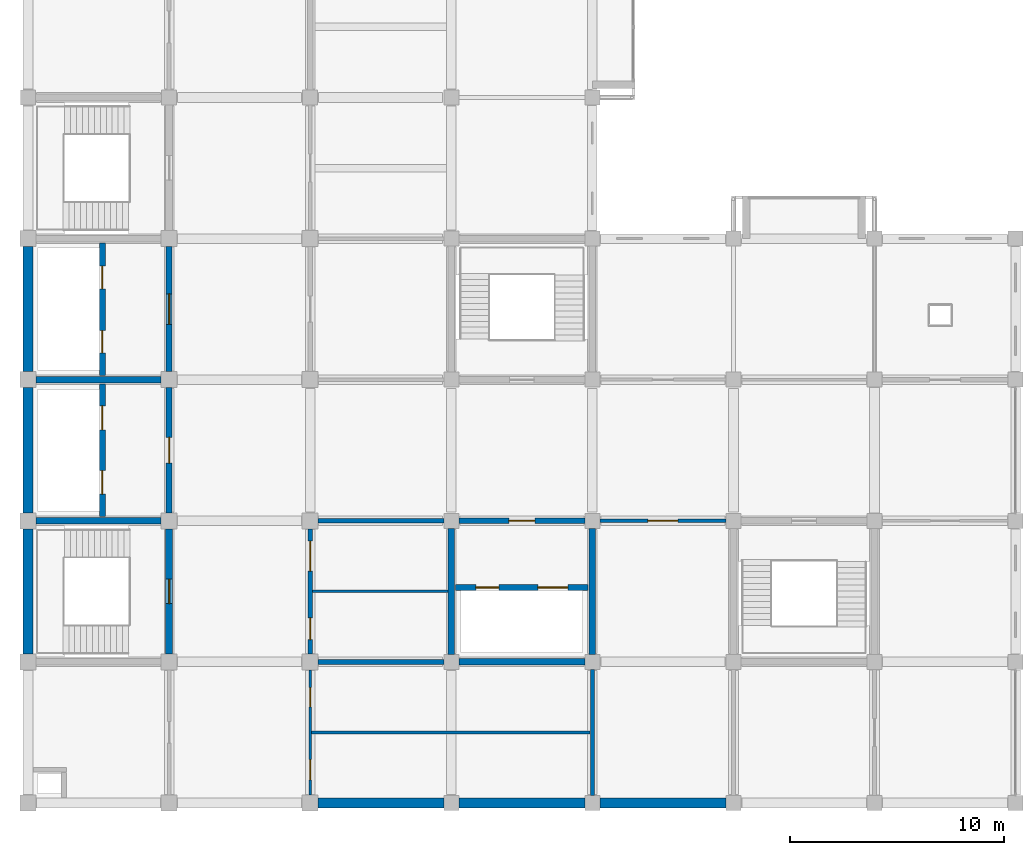
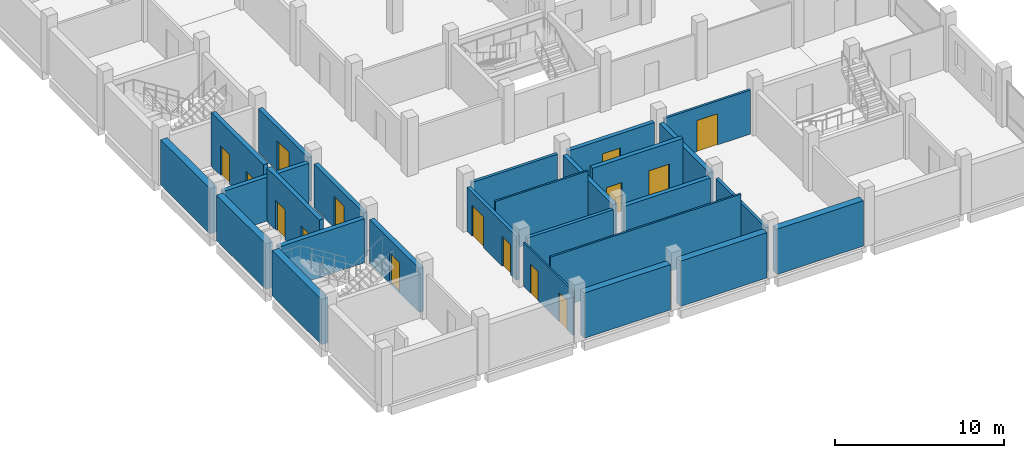
# One storey, part 7 of 13: 26 walls, 15 doors, 15 openings.
"""IFC4 building model written with IfcOpenShell, lengths in metres."""

from ifc_helpers import new_model, si_unit, direction, frame, frame_2d, origin, place, context, subcontext, project, spatial, rectangle, extrude, material, layer, layer_set, type_object, element, fill, save


model = new_model("IFC4")

# Units and contexts
model_context = context("Model", 3, precision=1e-05, world=origin(), true_north=direction((0.0, 1.0)))
body_context = subcontext(model_context, "Body", "Model", "MODEL_VIEW")
ifc_project = project(units=[si_unit("LENGTHUNIT", "METRE"), si_unit("AREAUNIT", "SQUARE_METRE"), si_unit("VOLUMEUNIT", "CUBIC_METRE"), si_unit("PLANEANGLEUNIT", "RADIAN"), si_unit("MASSUNIT", "GRAM", prefix="KILO")], contexts=[model_context])

# Site, building, storey
site_placement = place(None, origin())
site = spatial("IfcSite", under=ifc_project, at=site_placement, CompositionType="ELEMENT")
building_placement = place(site_placement, origin())
building = spatial("IfcBuilding", under=site, at=building_placement, Name="Rusizi Kubbe Research Institute", CompositionType="ELEMENT")
storey_placement = place(building_placement, frame((0.0, 0.0, 35.39990234375)))
storey = spatial("IfcBuildingStorey", under=building, at=storey_placement, Name="L08", CompositionType="ELEMENT", Elevation=35.39990234375)

# Wall
ifc_material_1 = material(Name="Concrete C45/55", Category="concrete")
ifc_layer_1 = layer(ifc_material_1, 0.31494140625)
ifc_layer_set_1 = layer_set([ifc_layer_1], Name="Concrete C45/55")
wall_type_1 = type_object("IfcWallType", Name="CRW-02", PredefinedType="SHEAR", material=ifc_layer_set_1)
wall_1_placement = place(storey_placement, frame((0.375, 13.199951171875, 0.0), z_axis=(0.0, 0.0, 1.0), x_axis=(1.0, 0.0, 0.0)))
element("IfcWall", 1, at=wall_1_placement, inside=storey, type_object=wall_type_1, Name="Stair Core Shear Wall ST1 L08 N", PredefinedType="SHEAR", context=body_context, shape_type="SweptSolid", body=[
    extrude(rectangle(XDim=5.85009765625, YDim=0.31494140625, at=frame_2d((2.925048828125, 0.0))), origin(), (0.0, 0.0, 1.0), 3.18017578125),
])

# Wall, opening, door
wall_2_placement = place(storey_placement, frame((6.60009765625, 6.97509765625, 0.0), z_axis=(0.0, 0.0, 1.0), x_axis=(0.0, 1.0, 0.0)))
wall_2 = element("IfcWall", 2, at=wall_2_placement, inside=storey, type_object=wall_type_1, Name="Stair Core Shear Wall ST1 L08 E", PredefinedType="SHEAR", context=body_context, shape_type="SweptSolid", body=[
    extrude(rectangle(XDim=5.849853515625, YDim=0.31494140625, at=frame_2d((2.9248046875, 0.0))), origin(), (0.0, 0.0, 1.0), 3.18017578125),
])
opening_1_placement = place(wall_2_placement, frame((2.35009765625, 0.0, 0.0)))
opening_1 = element("IfcOpeningElement", 3, at=opening_1_placement, cuts=wall_2, Name="Opening D-02", PredefinedType="OPENING", context=body_context, shape_type="SweptSolid", body=[
    extrude(rectangle(XDim=1.14990234375, YDim=2.199951171875, at=frame_2d((0.574951171875, 1.10009765625))), frame((0.0, 0.16748046875, 0.0), z_axis=(0.0, -1.0, 0.0), x_axis=(1.0, 0.0, 0.0)), (0.0, 0.0, 1.0), 0.3349609375),
])
ifc_material_2 = material(Name="Fire-Rated Steel Frame and Acoustic Timber Leaf", Category="wood")
door_type_1 = type_object("IfcDoorType", Name="ID-STAIR-115", OperationType="NOTDEFINED", PredefinedType="DOOR", material=ifc_material_2)
door_1_placement = place(opening_1_placement, origin())
door_1 = element("IfcDoor", 4, at=door_1_placement, inside=storey, type_object=door_type_1, Name="Exit Stair Door ST1 L08", OperationType="SINGLE_SWING_RIGHT", OverallHeight=2.199951171875, OverallWidth=1.14990234375, PredefinedType="DOOR", context=body_context, shape_type="SweptSolid", body=[
    extrude(rectangle(XDim=1.14990234375, YDim=2.199951171875, at=frame_2d((0.574951171875, 1.10009765625))), frame((0.0, 0.02490234375, 0.0), z_axis=(0.0, -1.0, 0.0), x_axis=(1.0, 0.0, 0.0)), (0.0, 0.0, 1.0), 0.050048828125),
])
fill(opening_1, door_1)

# Walls
ifc_material_3 = material(Name="Concrete C40/50", Category="concrete")
ifc_layer_2 = layer(ifc_material_3, 0.294921875)
ifc_layer_set_2 = layer_set([ifc_layer_2], Name="Concrete C40/50")
wall_type_2 = type_object("IfcWallType", Name="CRW-03", PredefinedType="SHEAR", material=ifc_layer_set_2)
wall_3_placement = place(storey_placement, frame((0.375, 19.800048828125, 0.0), z_axis=(0.0, 0.0, 1.0), x_axis=(1.0, 0.0, 0.0)))
element("IfcWall", 5, at=wall_3_placement, inside=storey, type_object=wall_type_2, Name="Lift Core Divider Wall (0,2-3) L08", PredefinedType="SHEAR", context=body_context, shape_type="SweptSolid", body=[
    extrude(rectangle(XDim=5.85009765625, YDim=0.294921875, at=frame_2d((2.925048828125, 0.0))), origin(), (0.0, 0.0, 1.0), 3.18017578125),
])
for number, where, z_axis, x_axis, name in (
    (6, (20.14990234375, 6.60009765625, 0.0), (0.0, 0.0, 1.0), (1.0, 0.0, 0.0), "Lab Lift Core Wall S (3,1) L08"),
    (7, (19.800048828125, 6.949951171875, 0.0), (0.0, 0.0, 1.0), (0.0, 1.0, 0.0), "Lab Lift Core Wall W (3,1) L08"),
    (8, (26.39990234375, 6.949951171875, 0.0), (0.0, 0.0, 1.0), (0.0, 1.0, 0.0), "Lab Lift Core Wall E (3,1) L08"),
):
    element("IfcWall", number, at=place(storey_placement, frame(where, z_axis=z_axis, x_axis=x_axis)), inside=storey, type_object=wall_type_2, Name=name, PredefinedType="SHEAR", context=body_context, shape_type="SweptSolid", body=[
        extrude(rectangle(XDim=5.900146484375, YDim=0.294921875, at=frame_2d((2.9501953125, 0.0))), origin(), (0.0, 0.0, 1.0), 3.18017578125),
    ])

# Wall, openings, doors
wall_4_placement = place(storey_placement, frame((3.47998046875, 13.39990234375, 0.0), z_axis=(0.0, 0.0, 1.0), x_axis=(0.0, 1.0, 0.0)))
wall_4 = element("IfcWall", 9, at=wall_4_placement, inside=storey, type_object=wall_type_2, Name="Firefighting Lift Shaft Front Wall L08", PredefinedType="SHEAR", context=body_context, shape_type="SweptSolid", body=[
    extrude(rectangle(XDim=6.2001953125, YDim=0.294921875, at=frame_2d((3.10009765625, 0.0))), origin(), (0.0, 0.0, 1.0), 3.880126953125),
])
opening_2_placement = place(wall_4_placement, frame((1.050048828125, 0.0, 0.0)))
opening_2 = element("IfcOpeningElement", 10, at=opening_2_placement, cuts=wall_4, Name="Opening LD-01", PredefinedType="OPENING", context=body_context, shape_type="SweptSolid", body=[
    extrude(rectangle(XDim=1.10009765625, YDim=2.14990234375, at=frame_2d((0.550048828125, 1.074951171875))), frame((0.0, 0.157470703125, 0.0), z_axis=(0.0, -1.0, 0.0), x_axis=(1.0, 0.0, 0.0)), (0.0, 0.0, 1.0), 0.31494140625),
])
opening_3_placement = place(wall_4_placement, frame((4.050048828125, 0.0, 0.0)))
opening_3 = element("IfcOpeningElement", 11, at=opening_3_placement, cuts=wall_4, Name="Opening LD-02", PredefinedType="OPENING", context=body_context, shape_type="SweptSolid", body=[
    extrude(rectangle(XDim=1.1201171875, YDim=2.14990234375, at=frame_2d((0.56005859375, 1.074951171875))), frame((0.0, 0.157470703125, 0.0), z_axis=(0.0, -1.0, 0.0), x_axis=(1.0, 0.0, 0.0)), (0.0, 0.0, 1.0), 0.31494140625),
])
ifc_material_4 = material(Name="Brushed Stainless Steel Sliding Door", Category="steel")
door_type_2 = type_object("IfcDoorType", Name="LD-01", OperationType="DOUBLE_DOOR_SLIDING", PredefinedType="USERDEFINED", material=ifc_material_4)
door_2_placement = place(opening_2_placement, origin())
door_2 = element("IfcDoor", 12, at=door_2_placement, inside=storey, type_object=door_type_2, Name="Lift Landing Sliding Door FL1 L08", ObjectType="SLIDING DOOR", OperationType="DOUBLE_DOOR_SLIDING", OverallHeight=2.14990234375, OverallWidth=1.10009765625, PredefinedType="USERDEFINED", context=body_context, shape_type="SweptSolid", body=[
    extrude(rectangle(XDim=1.10009765625, YDim=2.14990234375, at=frame_2d((0.550048828125, 1.074951171875))), frame((0.0, 0.02490234375, 0.0), z_axis=(0.0, -1.0, 0.0), x_axis=(1.0, 0.0, 0.0)), (0.0, 0.0, 1.0), 0.050048828125),
])
fill(opening_2, door_2)
ifc_material_5 = material(Name="Brushed Stainless Steel Sliding Door", Category="steel")
door_type_3 = type_object("IfcDoorType", Name="LD-02", OperationType="DOUBLE_DOOR_SLIDING", PredefinedType="USERDEFINED", material=ifc_material_5)
door_3_placement = place(opening_3_placement, origin())
door_3 = element("IfcDoor", 13, at=door_3_placement, inside=storey, type_object=door_type_3, Name="Lift Landing Sliding Door FL2 L08", ObjectType="SLIDING DOOR", OperationType="DOUBLE_DOOR_SLIDING", OverallHeight=2.14990234375, OverallWidth=1.1201171875, PredefinedType="USERDEFINED", context=body_context, shape_type="SweptSolid", body=[
    extrude(rectangle(XDim=1.1201171875, YDim=2.14990234375, at=frame_2d((0.56005859375, 1.074951171875))), frame((0.0, 0.02490234375, 0.0), z_axis=(0.0, -1.0, 0.0), x_axis=(1.0, 0.0, 0.0)), (0.0, 0.0, 1.0), 0.050048828125),
])
fill(opening_3, door_3)

wall_5_placement = place(storey_placement, frame((3.47998046875, 20.0, 0.0), z_axis=(0.0, 0.0, 1.0), x_axis=(0.0, 1.0, 0.0)))
wall_5 = element("IfcWall", 14, at=wall_5_placement, inside=storey, type_object=wall_type_2, Name="Passenger Lift Shaft Front Wall L08", PredefinedType="SHEAR", context=body_context, shape_type="SweptSolid", body=[
    extrude(rectangle(XDim=6.199951171875, YDim=0.294921875, at=frame_2d((3.10009765625, 0.0))), origin(), (0.0, 0.0, 1.0), 3.880126953125),
])
opening_4_placement = place(wall_5_placement, frame((1.050048828125, 0.0, 0.0)))
opening_4 = element("IfcOpeningElement", 15, at=opening_4_placement, cuts=wall_5, Name="Opening LD-03", PredefinedType="OPENING", context=body_context, shape_type="SweptSolid", body=[
    extrude(rectangle(XDim=1.050048828125, YDim=2.14990234375, at=frame_2d((0.52490234375, 1.074951171875))), frame((0.0, 0.157470703125, 0.0), z_axis=(0.0, -1.0, 0.0), x_axis=(1.0, 0.0, 0.0)), (0.0, 0.0, 1.0), 0.31494140625),
])
opening_5_placement = place(wall_5_placement, frame((4.050048828125, 0.0, 0.0)))
opening_5 = element("IfcOpeningElement", 16, at=opening_5_placement, cuts=wall_5, Name="Opening LD-04", PredefinedType="OPENING", context=body_context, shape_type="SweptSolid", body=[
    extrude(rectangle(XDim=1.06005859375, YDim=2.14990234375, at=frame_2d((0.530029296875, 1.074951171875))), frame((0.0, 0.157470703125, 0.0), z_axis=(0.0, -1.0, 0.0), x_axis=(1.0, 0.0, 0.0)), (0.0, 0.0, 1.0), 0.31494140625),
])
ifc_material_6 = material(Name="Brushed Stainless Steel Sliding Door", Category="steel")
door_type_4 = type_object("IfcDoorType", Name="LD-03", OperationType="DOUBLE_DOOR_SLIDING", PredefinedType="USERDEFINED", material=ifc_material_6)
door_4_placement = place(opening_4_placement, origin())
door_4 = element("IfcDoor", 17, at=door_4_placement, inside=storey, type_object=door_type_4, Name="Lift Landing Sliding Door LP1 L08", ObjectType="SLIDING DOOR", OperationType="DOUBLE_DOOR_SLIDING", OverallHeight=2.14990234375, OverallWidth=1.050048828125, PredefinedType="USERDEFINED", context=body_context, shape_type="SweptSolid", body=[
    extrude(rectangle(XDim=1.050048828125, YDim=2.14990234375, at=frame_2d((0.52490234375, 1.074951171875))), frame((0.0, 0.02490234375, 0.0), z_axis=(0.0, -1.0, 0.0), x_axis=(1.0, 0.0, 0.0)), (0.0, 0.0, 1.0), 0.050048828125),
])
fill(opening_4, door_4)
ifc_material_7 = material(Name="Brushed Stainless Steel Sliding Door", Category="steel")
door_type_5 = type_object("IfcDoorType", Name="LD-04", OperationType="DOUBLE_DOOR_SLIDING", PredefinedType="USERDEFINED", material=ifc_material_7)
door_5_placement = place(opening_5_placement, origin())
door_5 = element("IfcDoor", 18, at=door_5_placement, inside=storey, type_object=door_type_5, Name="Lift Landing Sliding Door LP2 L08", ObjectType="SLIDING DOOR", OperationType="DOUBLE_DOOR_SLIDING", OverallHeight=2.14990234375, OverallWidth=1.06005859375, PredefinedType="USERDEFINED", context=body_context, shape_type="SweptSolid", body=[
    extrude(rectangle(XDim=1.06005859375, YDim=2.14990234375, at=frame_2d((0.530029296875, 1.074951171875))), frame((0.0, 0.02490234375, 0.0), z_axis=(0.0, -1.0, 0.0), x_axis=(1.0, 0.0, 0.0)), (0.0, 0.0, 1.0), 0.050048828125),
])
fill(opening_5, door_5)

wall_6_placement = place(storey_placement, frame((20.0, 10.080078125, 0.0), z_axis=(0.0, 0.0, 1.0), x_axis=(1.0, 0.0, 0.0)))
wall_6 = element("IfcWall", 19, at=wall_6_placement, inside=storey, type_object=wall_type_2, Name="Goods Lift Shaft Front Wall L08", PredefinedType="SHEAR", context=body_context, shape_type="SweptSolid", body=[
    extrude(rectangle(XDim=6.199951171875, YDim=0.294921875, at=frame_2d((3.10009765625, 0.0))), origin(), (0.0, 0.0, 1.0), 3.880126953125),
])
opening_6_placement = place(wall_6_placement, frame((0.949951171875, 0.0, 0.0)))
opening_6 = element("IfcOpeningElement", 20, at=opening_6_placement, cuts=wall_6, Name="Opening LD-05", PredefinedType="OPENING", context=body_context, shape_type="SweptSolid", body=[
    extrude(rectangle(XDim=1.080078125, YDim=2.14990234375, at=frame_2d((0.5400390625, 1.074951171875))), frame((0.0, 0.157470703125, 0.0), z_axis=(0.0, -1.0, 0.0), x_axis=(1.0, 0.0, 0.0)), (0.0, 0.0, 1.0), 0.31494140625),
])
opening_7_placement = place(wall_6_placement, frame((3.85009765625, 0.0, 0.0)))
opening_7 = element("IfcOpeningElement", 21, at=opening_7_placement, cuts=wall_6, Name="Opening LD-06", PredefinedType="OPENING", context=body_context, shape_type="SweptSolid", body=[
    extrude(rectangle(XDim=1.39990234375, YDim=2.35009765625, at=frame_2d((0.699951171875, 1.175048828125))), frame((0.0, 0.157470703125, 0.0), z_axis=(0.0, -1.0, 0.0), x_axis=(1.0, 0.0, 0.0)), (0.0, 0.0, 1.0), 0.31494140625),
])
ifc_material_8 = material(Name="Brushed Stainless Steel Sliding Door", Category="steel")
door_type_6 = type_object("IfcDoorType", Name="LD-05", OperationType="DOUBLE_DOOR_SLIDING", PredefinedType="USERDEFINED", material=ifc_material_8)
door_6_placement = place(opening_6_placement, origin())
door_6 = element("IfcDoor", 22, at=door_6_placement, inside=storey, type_object=door_type_6, Name="Lift Landing Sliding Door LP3 L08", ObjectType="SLIDING DOOR", OperationType="DOUBLE_DOOR_SLIDING", OverallHeight=2.14990234375, OverallWidth=1.080078125, PredefinedType="USERDEFINED", context=body_context, shape_type="SweptSolid", body=[
    extrude(rectangle(XDim=1.080078125, YDim=2.14990234375, at=frame_2d((0.5400390625, 1.074951171875))), frame((0.0, 0.02490234375, 0.0), z_axis=(0.0, -1.0, 0.0), x_axis=(1.0, 0.0, 0.0)), (0.0, 0.0, 1.0), 0.050048828125),
])
fill(opening_6, door_6)
ifc_material_9 = material(Name="Brushed Stainless Steel Sliding Door", Category="steel")
door_type_7 = type_object("IfcDoorType", Name="LD-06", OperationType="DOUBLE_DOOR_SLIDING", PredefinedType="USERDEFINED", material=ifc_material_9)
door_7_placement = place(opening_7_placement, origin())
door_7 = element("IfcDoor", 23, at=door_7_placement, inside=storey, type_object=door_type_7, Name="Lift Landing Sliding Door LG1 L08", ObjectType="SLIDING DOOR", OperationType="DOUBLE_DOOR_SLIDING", OverallHeight=2.35009765625, OverallWidth=1.39990234375, PredefinedType="USERDEFINED", context=body_context, shape_type="SweptSolid", body=[
    extrude(rectangle(XDim=1.39990234375, YDim=2.35009765625, at=frame_2d((0.699951171875, 1.175048828125))), frame((0.0, 0.02490234375, 0.0), z_axis=(0.0, -1.0, 0.0), x_axis=(1.0, 0.0, 0.0)), (0.0, 0.0, 1.0), 0.050048828125),
])
fill(opening_7, door_7)

# Wall
ifc_material_10 = material(Name="Concrete Blockwork Fire Partition", Category="masonry")
ifc_layer_3 = layer(ifc_material_10, 0.22509765625)
ifc_layer_set_3 = layer_set([ifc_layer_3], Name="Concrete Blockwork Fire Partition")
wall_type_3 = type_object("IfcWallType", Name="IW-01", PredefinedType="PARTITIONING", material=ifc_layer_set_3)
wall_7_placement = place(storey_placement, frame((13.574951171875, 6.60009765625, 0.0), z_axis=(0.0, 0.0, 1.0), x_axis=(1.0, 0.0, 0.0)))
element("IfcWall", 24, at=wall_7_placement, inside=storey, type_object=wall_type_3, Name="Sanitary Core North Divider Wall L08", PredefinedType="PARTITIONING", context=body_context, shape_type="SweptSolid", body=[
    extrude(rectangle(XDim=5.875, YDim=0.22509765625, at=frame_2d((2.9375, 0.0))), origin(), (0.0, 0.0, 1.0), 3.18017578125),
])

# Wall, openings, doors
wall_8_placement = place(storey_placement, frame((13.199951171875, 6.97509765625, 0.0), z_axis=(0.0, 0.0, 1.0), x_axis=(0.0, 1.0, 0.0)))
wall_8 = element("IfcWall", 25, at=wall_8_placement, inside=storey, type_object=wall_type_3, Name="Accessible WC and Store West Wall L08", PredefinedType="PARTITIONING", context=body_context, shape_type="SweptSolid", body=[
    extrude(rectangle(XDim=5.849853515625, YDim=0.22509765625, at=frame_2d((2.9248046875, 0.0))), origin(), (0.0, 0.0, 1.0), 3.18017578125),
])
opening_8_placement = place(wall_8_placement, frame((0.6650390625, 0.0, 0.0)))
opening_8 = element("IfcOpeningElement", 26, at=opening_8_placement, cuts=wall_8, Name="Opening D-07", PredefinedType="OPENING", context=body_context, shape_type="SweptSolid", body=[
    extrude(rectangle(XDim=1.02001953125, YDim=2.14990234375, at=frame_2d((0.510009765625, 1.074951171875))), frame((0.0, 0.12255859375, 0.0), z_axis=(0.0, -1.0, 0.0), x_axis=(1.0, 0.0, 0.0)), (0.0, 0.0, 1.0), 0.2451171875),
])
opening_9_placement = place(wall_8_placement, frame((3.875, 0.0, 0.0)))
opening_9 = element("IfcOpeningElement", 27, at=opening_9_placement, cuts=wall_8, Name="Opening D-12", PredefinedType="OPENING", context=body_context, shape_type="SweptSolid", body=[
    extrude(rectangle(XDim=1.39990234375, YDim=2.25, at=frame_2d((0.699951171875, 1.125))), frame((0.0, 0.12255859375, 0.0), z_axis=(0.0, -1.0, 0.0), x_axis=(1.0, 0.0, 0.0)), (0.0, 0.0, 1.0), 0.2451171875),
])
ifc_material_11 = material(Name="Fire-Rated Steel Frame and Acoustic Timber Leaf", Category="wood")
door_type_8 = type_object("IfcDoorType", Name="ID-LAB-140", OperationType="NOTDEFINED", PredefinedType="DOOR", material=ifc_material_11)
door_8_placement = place(opening_9_placement, origin())
door_8 = element("IfcDoor", 28, at=door_8_placement, inside=storey, type_object=door_type_8, Name="Door to Laboratory Reagent Store (L08-STR-01)", OperationType="SINGLE_SWING_RIGHT", OverallHeight=2.25, OverallWidth=1.39990234375, PredefinedType="DOOR", context=body_context, shape_type="SweptSolid", body=[
    extrude(rectangle(XDim=1.39990234375, YDim=2.25, at=frame_2d((0.699951171875, 1.125))), frame((0.0, 0.02490234375, 0.0), z_axis=(0.0, -1.0, 0.0), x_axis=(1.0, 0.0, 0.0)), (0.0, 0.0, 1.0), 0.050048828125),
])
fill(opening_9, door_8)
ifc_material_12 = material(Name="Fire-Rated Steel Frame and Acoustic Timber Leaf", Category="wood")
door_type_9 = type_object("IfcDoorType", Name="ID-WC-ACC", OperationType="NOTDEFINED", PredefinedType="DOOR", material=ifc_material_12)
door_9_placement = place(opening_8_placement, origin())
door_9 = element("IfcDoor", 29, at=door_9_placement, inside=storey, type_object=door_type_9, Name="Door to Accessible Toilet Room (L08-WC-ACC)", OperationType="SINGLE_SWING_LEFT", OverallHeight=2.14990234375, OverallWidth=1.02001953125, PredefinedType="DOOR", context=body_context, shape_type="SweptSolid", body=[
    extrude(rectangle(XDim=1.02001953125, YDim=2.14990234375, at=frame_2d((0.510009765625, 1.074951171875))), frame((0.0, 0.02490234375, 0.0), z_axis=(0.0, -1.0, 0.0), x_axis=(1.0, 0.0, 0.0)), (0.0, 0.0, 1.0), 0.050048828125),
])
fill(opening_8, door_9)

# Walls
ifc_material_13 = material(Name="Insulated Cleanroom Partition", Category="masonry")
ifc_layer_4 = layer(ifc_material_13, 0.195068359375)
ifc_layer_set_4 = layer_set([ifc_layer_4], Name="Insulated Cleanroom Partition")
wall_type_4 = type_object("IfcWallType", Name="IW-02", PredefinedType="PARTITIONING", material=ifc_layer_set_4)
wall_9_placement = place(storey_placement, frame((26.39990234375, 0.35009765625, 0.0), z_axis=(0.0, 0.0, 1.0), x_axis=(0.0, 1.0, 0.0)))
element("IfcWall", 30, at=wall_9_placement, inside=storey, type_object=wall_type_4, Name="Sanitary Core East Enclosing Wall L08", PredefinedType="PARTITIONING", context=body_context, shape_type="SweptSolid", body=[
    extrude(rectangle(XDim=5.89990234375, YDim=0.195068359375, at=frame_2d((2.949951171875, 0.0))), origin(), (0.0, 0.0, 1.0), 3.18017578125),
])
wall_10_placement = place(storey_placement, frame((13.574951171875, 13.199951171875, 0.0), z_axis=(0.0, 0.0, 1.0), x_axis=(1.0, 0.0, 0.0)))
element("IfcWall", 31, at=wall_10_placement, inside=storey, type_object=wall_type_4, Name="Reagent Store North Corridor Wall L08", PredefinedType="PARTITIONING", context=body_context, shape_type="SweptSolid", body=[
    extrude(rectangle(XDim=5.875, YDim=0.195068359375, at=frame_2d((2.9375, 0.0))), origin(), (0.0, 0.0, 1.0), 3.18017578125),
])

# Wall, opening, door
ifc_material_14 = material(Name="Fire-Rated Corridor Partition", Category="masonry")
ifc_layer_5 = layer(ifc_material_14, 0.155029296875)
ifc_layer_set_5 = layer_set([ifc_layer_5], Name="Fire-Rated Corridor Partition")
wall_type_5 = type_object("IfcWallType", Name="IW-04", PredefinedType="PARTITIONING", material=ifc_layer_set_5)
wall_11_placement = place(storey_placement, frame((26.75, 13.199951171875, 0.0), z_axis=(0.0, 0.0, 1.0), x_axis=(1.0, 0.0, 0.0)))
wall_11 = element("IfcWall", 32, at=wall_11_placement, inside=storey, type_object=wall_type_5, Name="Interior Partition Wall L08 H4-2", PredefinedType="PARTITIONING", context=body_context, shape_type="SweptSolid", body=[
    extrude(rectangle(XDim=5.89990234375, YDim=0.155029296875, at=frame_2d((2.949951171875, 0.0))), origin(), (0.0, 0.0, 1.0), 3.18017578125),
])
opening_10_placement = place(wall_11_placement, frame((2.25, 0.0, 0.0)))
opening_10 = element("IfcOpeningElement", 33, at=opening_10_placement, cuts=wall_11, Name="Opening D-12", PredefinedType="OPENING", context=body_context, shape_type="SweptSolid", body=[
    extrude(rectangle(XDim=1.39990234375, YDim=2.25, at=frame_2d((0.699951171875, 1.125))), frame((0.0, 0.08740234375, 0.0), z_axis=(0.0, -1.0, 0.0), x_axis=(1.0, 0.0, 0.0)), (0.0, 0.0, 1.0), 0.175048828125),
])
door_10_placement = place(opening_10_placement, origin())
door_10 = element("IfcDoor", 34, at=door_10_placement, inside=storey, type_object=door_type_8, Name="Door to Catalysis Wet Laboratory (L08-EWS-01)", OperationType="SINGLE_SWING_RIGHT", OverallHeight=2.25, OverallWidth=1.39990234375, PredefinedType="DOOR", context=body_context, shape_type="SweptSolid", body=[
    extrude(rectangle(XDim=1.39990234375, YDim=2.25, at=frame_2d((0.699951171875, 1.125))), frame((0.0, 0.02490234375, 0.0), z_axis=(0.0, -1.0, 0.0), x_axis=(1.0, 0.0, 0.0)), (0.0, 0.0, 1.0), 0.050048828125),
])
fill(opening_10, door_10)

# Walls
ifc_material_15 = material(Name="Sanitary Wet-Wall Partition", Category="masonry")
ifc_layer_6 = layer(ifc_material_15, 0.125)
ifc_layer_set_6 = layer_set([ifc_layer_6], Name="Sanitary Wet-Wall Partition")
wall_type_6 = type_object("IfcWallType", Name="IW-06", PredefinedType="PARTITIONING", material=ifc_layer_set_6)
wall_12_placement = place(storey_placement, frame((13.260009765625, 3.300048828125, 0.0), z_axis=(0.0, 0.0, 1.0), x_axis=(1.0, 0.0, 0.0)))
element("IfcWall", 35, at=wall_12_placement, inside=storey, type_object=wall_type_6, Name="Sanitary Divider Wall L08-1", PredefinedType="PARTITIONING", context=body_context, shape_type="SweptSolid", body=[
    extrude(rectangle(XDim=13.03759765625, YDim=0.125, at=frame_2d((6.518798828125, 0.0))), origin(), (0.0, 0.0, 1.0), 3.880126953125),
])
wall_13_placement = place(storey_placement, frame((13.3173828125, 9.89990234375, 0.0), z_axis=(0.0, 0.0, 1.0), x_axis=(1.0, 0.0, 0.0)))
element("IfcWall", 36, at=wall_13_placement, inside=storey, type_object=wall_type_6, Name="Sanitary Divider Wall L08-2", PredefinedType="PARTITIONING", context=body_context, shape_type="SweptSolid", body=[
    extrude(rectangle(XDim=6.330078125, YDim=0.125, at=frame_2d((3.1650390625, 0.0))), origin(), (0.0, 0.0, 1.0), 3.880126953125),
])

# Wall, openings, doors
ifc_material_16 = material(Name="Sub-Suite Fire Partition", Category="masonry")
ifc_layer_7 = layer(ifc_material_16, 0.110107421875)
ifc_layer_set_7 = layer_set([ifc_layer_7], Name="Sub-Suite Fire Partition")
wall_type_7 = type_object("IfcWallType", Name="IW-07", PredefinedType="PARTITIONING", material=ifc_layer_set_7)
wall_14_placement = place(storey_placement, frame((13.199951171875, 0.375, 0.0), z_axis=(0.0, 0.0, 1.0), x_axis=(0.0, 1.0, 0.0)))
wall_14 = element("IfcWall", 37, at=wall_14_placement, inside=storey, type_object=wall_type_7, Name="Sanitary Core West Corridor Wall L08", PredefinedType="PARTITIONING", context=body_context, shape_type="SweptSolid", body=[
    extrude(rectangle(XDim=5.85009765625, YDim=0.110107421875, at=frame_2d((2.925048828125, 0.0))), origin(), (0.0, 0.0, 1.0), 3.18017578125),
])
opening_11_placement = place(wall_14_placement, frame((0.699951171875, 0.0, 0.0)))
opening_11 = element("IfcOpeningElement", 38, at=opening_11_placement, cuts=wall_14, Name="Opening D-06", PredefinedType="OPENING", context=body_context, shape_type="SweptSolid", body=[
    extrude(rectangle(XDim=0.949951171875, YDim=2.10009765625, at=frame_2d((0.47509765625, 1.050048828125))), frame((0.0, 0.06494140625, 0.0), z_axis=(0.0, -1.0, 0.0), x_axis=(1.0, 0.0, 0.0)), (0.0, 0.0, 1.0), 0.130126953125),
])
opening_12_placement = place(wall_14_placement, frame((4.125, 0.0, 0.0)))
opening_12 = element("IfcOpeningElement", 39, at=opening_12_placement, cuts=wall_14, Name="Opening D-05", PredefinedType="OPENING", context=body_context, shape_type="SweptSolid", body=[
    extrude(rectangle(XDim=0.89990234375, YDim=2.10009765625, at=frame_2d((0.449951171875, 1.050048828125))), frame((0.0, 0.06494140625, 0.0), z_axis=(0.0, -1.0, 0.0), x_axis=(1.0, 0.0, 0.0)), (0.0, 0.0, 1.0), 0.130126953125),
])
ifc_material_17 = material(Name="Fire-Rated Steel Frame and Acoustic Timber Leaf", Category="wood")
door_type_10 = type_object("IfcDoorType", Name="ID-WC-900", OperationType="NOTDEFINED", PredefinedType="DOOR", material=ifc_material_17)
door_11_placement = place(opening_12_placement, origin())
door_11 = element("IfcDoor", 40, at=door_11_placement, inside=storey, type_object=door_type_10, Name="Door to Female Toilet Room (L08-WC-F)", OperationType="SINGLE_SWING_LEFT", OverallHeight=2.10009765625, OverallWidth=0.89990234375, PredefinedType="DOOR", context=body_context, shape_type="SweptSolid", body=[
    extrude(rectangle(XDim=0.89990234375, YDim=2.10009765625, at=frame_2d((0.449951171875, 1.050048828125))), frame((0.0, 0.02490234375, 0.0), z_axis=(0.0, -1.0, 0.0), x_axis=(1.0, 0.0, 0.0)), (0.0, 0.0, 1.0), 0.050048828125),
])
fill(opening_12, door_11)
ifc_material_18 = material(Name="Fire-Rated Steel Frame and Acoustic Timber Leaf", Category="wood")
door_type_11 = type_object("IfcDoorType", Name="ID-WC-950", OperationType="NOTDEFINED", PredefinedType="DOOR", material=ifc_material_18)
door_12_placement = place(opening_11_placement, origin())
door_12 = element("IfcDoor", 41, at=door_12_placement, inside=storey, type_object=door_type_11, Name="Door to Male Toilet Room (L08-WC-M)", OperationType="SINGLE_SWING_RIGHT", OverallHeight=2.10009765625, OverallWidth=0.949951171875, PredefinedType="DOOR", context=body_context, shape_type="SweptSolid", body=[
    extrude(rectangle(XDim=0.949951171875, YDim=2.10009765625, at=frame_2d((0.47509765625, 1.050048828125))), frame((0.0, 0.02490234375, 0.0), z_axis=(0.0, -1.0, 0.0), x_axis=(1.0, 0.0, 0.0)), (0.0, 0.0, 1.0), 0.050048828125),
])
fill(opening_11, door_12)

# Walls
ifc_material_19 = material(Name="Concrete C40/50", Category="concrete")
ifc_layer_8 = layer(ifc_material_19, 0.4599609375)
ifc_layer_set_8 = layer_set([ifc_layer_8], Name="Concrete C40/50")
wall_type_8 = type_object("IfcWallType", Name="PW-02", PredefinedType="SOLIDWALL", material=ifc_layer_set_8)
wall_15_placement = place(storey_placement, frame((0.0, 6.97509765625, 0.0), z_axis=(0.0, 0.0, 1.0), x_axis=(0.0, 1.0, 0.0)))
element("IfcWall", 42, at=wall_15_placement, inside=storey, type_object=wall_type_8, Name="Blind Party Wall L08 V0-1", PredefinedType="SOLIDWALL", context=body_context, shape_type="SweptSolid", body=[
    extrude(rectangle(XDim=5.849853515625, YDim=0.4599609375, at=frame_2d((2.9248046875, 0.0))), origin(), (0.0, 0.0, 1.0), 3.280029296875),
])
wall_16_placement = place(storey_placement, frame((0.0, 13.574951171875, 0.0), z_axis=(0.0, 0.0, 1.0), x_axis=(0.0, 1.0, 0.0)))
element("IfcWall", 43, at=wall_16_placement, inside=storey, type_object=wall_type_8, Name="Blind Party Wall L08 V0-2", PredefinedType="SOLIDWALL", context=body_context, shape_type="SweptSolid", body=[
    extrude(rectangle(XDim=5.85009765625, YDim=0.4599609375, at=frame_2d((2.925048828125, 0.0))), origin(), (0.0, 0.0, 1.0), 3.280029296875),
])
wall_17_placement = place(storey_placement, frame((0.0, 20.175048828125, 0.0), z_axis=(0.0, 0.0, 1.0), x_axis=(0.0, 1.0, 0.0)))
element("IfcWall", 44, at=wall_17_placement, inside=storey, type_object=wall_type_8, Name="Blind Party Wall L08 V0-3", PredefinedType="SOLIDWALL", context=body_context, shape_type="SweptSolid", body=[
    extrude(rectangle(XDim=5.849853515625, YDim=0.4599609375, at=frame_2d((2.9248046875, 0.0))), origin(), (0.0, 0.0, 1.0), 3.280029296875),
])
wall_18_placement = place(storey_placement, frame((13.574951171875, 0.0, 0.0), z_axis=(0.0, 0.0, 1.0), x_axis=(1.0, 0.0, 0.0)))
element("IfcWall", 45, at=wall_18_placement, inside=storey, type_object=wall_type_8, Name="Blind Party Wall L08 H2-0", PredefinedType="SOLIDWALL", context=body_context, shape_type="SweptSolid", body=[
    extrude(rectangle(XDim=5.875, YDim=0.4599609375, at=frame_2d((2.9375, 0.0))), origin(), (0.0, 0.0, 1.0), 3.280029296875),
])
wall_19_placement = place(storey_placement, frame((20.14990234375, 0.0, 0.0), z_axis=(0.0, 0.0, 1.0), x_axis=(1.0, 0.0, 0.0)))
element("IfcWall", 46, at=wall_19_placement, inside=storey, type_object=wall_type_8, Name="Blind Party Wall L08 H3-0", PredefinedType="SOLIDWALL", context=body_context, shape_type="SweptSolid", body=[
    extrude(rectangle(XDim=5.900146484375, YDim=0.4599609375, at=frame_2d((2.9501953125, 0.0))), origin(), (0.0, 0.0, 1.0), 3.280029296875),
])
wall_20_placement = place(storey_placement, frame((26.75, 0.0, 0.0), z_axis=(0.0, 0.0, 1.0), x_axis=(1.0, 0.0, 0.0)))
element("IfcWall", 47, at=wall_20_placement, inside=storey, type_object=wall_type_8, Name="Blind Party Wall L08 H4-0", PredefinedType="SOLIDWALL", context=body_context, shape_type="SweptSolid", body=[
    extrude(rectangle(XDim=5.89990234375, YDim=0.4599609375, at=frame_2d((2.949951171875, 0.0))), origin(), (0.0, 0.0, 1.0), 3.280029296875),
])

# Wall, opening, door
ifc_material_20 = material(Name="Concrete C40/50", Category="concrete")
ifc_layer_9 = layer(ifc_material_20, 0.27490234375)
ifc_layer_set_9 = layer_set([ifc_layer_9], Name="Concrete C40/50")
wall_type_9 = type_object("IfcWallType", Name="SHW-01", PredefinedType="SHEAR", material=ifc_layer_set_9)
wall_21_placement = place(storey_placement, frame((6.60009765625, 13.574951171875, 0.0), z_axis=(0.0, 0.0, 1.0), x_axis=(0.0, 1.0, 0.0)))
wall_21 = element("IfcWall", 48, at=wall_21_placement, inside=storey, type_object=wall_type_9, Name="Firefighting Lobby Wall L08", PredefinedType="SHEAR", context=body_context, shape_type="SweptSolid", body=[
    extrude(rectangle(XDim=5.85009765625, YDim=0.27490234375, at=frame_2d((2.925048828125, 0.0))), origin(), (0.0, 0.0, 1.0), 3.18017578125),
])
opening_13_placement = place(wall_21_placement, frame((2.324951171875, 0.0, 0.0)))
opening_13 = element("IfcOpeningElement", 49, at=opening_13_placement, cuts=wall_21, Name="Opening D-03", PredefinedType="OPENING", context=body_context, shape_type="SweptSolid", body=[
    extrude(rectangle(XDim=1.199951171875, YDim=2.25, at=frame_2d((0.60009765625, 1.125))), frame((0.0, 0.1474609375, 0.0), z_axis=(0.0, -1.0, 0.0), x_axis=(1.0, 0.0, 0.0)), (0.0, 0.0, 1.0), 0.294921875),
])
ifc_material_21 = material(Name="Fire-Rated Steel Frame and Acoustic Timber Leaf", Category="wood")
door_type_12 = type_object("IfcDoorType", Name="ID-FF-120", OperationType="NOTDEFINED", PredefinedType="DOOR", material=ifc_material_21)
door_13_placement = place(opening_13_placement, origin())
door_13 = element("IfcDoor", 50, at=door_13_placement, inside=storey, type_object=door_type_12, Name="Door to Firefighting Lift Lobby (L08-FFL-01)", OperationType="SINGLE_SWING_LEFT", OverallHeight=2.25, OverallWidth=1.199951171875, PredefinedType="DOOR", context=body_context, shape_type="SweptSolid", body=[
    extrude(rectangle(XDim=1.199951171875, YDim=2.25, at=frame_2d((0.60009765625, 1.125))), frame((0.0, 0.02490234375, 0.0), z_axis=(0.0, -1.0, 0.0), x_axis=(1.0, 0.0, 0.0)), (0.0, 0.0, 1.0), 0.050048828125),
])
fill(opening_13, door_13)

wall_22_placement = place(storey_placement, frame((6.60009765625, 20.175048828125, 0.0), z_axis=(0.0, 0.0, 1.0), x_axis=(0.0, 1.0, 0.0)))
wall_22 = element("IfcWall", 51, at=wall_22_placement, inside=storey, type_object=wall_type_9, Name="Passenger Lift Lobby Wall L08", PredefinedType="SHEAR", context=body_context, shape_type="SweptSolid", body=[
    extrude(rectangle(XDim=5.849853515625, YDim=0.27490234375, at=frame_2d((2.9248046875, 0.0))), origin(), (0.0, 0.0, 1.0), 3.18017578125),
])
opening_14_placement = place(wall_22_placement, frame((2.215087890625, 0.0, 0.0)))
opening_14 = element("IfcOpeningElement", 52, at=opening_14_placement, cuts=wall_22, Name="Opening D-22", PredefinedType="OPENING", context=body_context, shape_type="SweptSolid", body=[
    extrude(rectangle(XDim=1.419921875, YDim=2.199951171875, at=frame_2d((0.7099609375, 1.10009765625))), frame((0.0, 0.1474609375, 0.0), z_axis=(0.0, -1.0, 0.0), x_axis=(1.0, 0.0, 0.0)), (0.0, 0.0, 1.0), 0.294921875),
])
ifc_material_22 = material(Name="Fire-Rated Steel Frame and Acoustic Timber Leaf", Category="wood")
door_type_13 = type_object("IfcDoorType", Name="ID-STR-142", OperationType="DOUBLE_DOOR_SINGLE_SWING", PredefinedType="DOOR", material=ifc_material_22)
door_14_placement = place(opening_14_placement, origin())
door_14 = element("IfcDoor", 53, at=door_14_placement, inside=storey, type_object=door_type_13, Name="Door to Passenger Lift Lobby (L08-LBY-01)", OperationType="DOUBLE_DOOR_SINGLE_SWING", OverallHeight=2.199951171875, OverallWidth=1.419921875, PredefinedType="DOOR", context=body_context, shape_type="SweptSolid", body=[
    extrude(rectangle(XDim=1.419921875, YDim=2.199951171875, at=frame_2d((0.7099609375, 1.10009765625))), frame((0.0, 0.02490234375, 0.0), z_axis=(0.0, -1.0, 0.0), x_axis=(1.0, 0.0, 0.0)), (0.0, 0.0, 1.0), 0.050048828125),
])
fill(opening_14, door_14)

wall_23_placement = place(storey_placement, frame((20.14990234375, 13.199951171875, 0.0), z_axis=(0.0, 0.0, 1.0), x_axis=(1.0, 0.0, 0.0)))
wall_23 = element("IfcWall", 54, at=wall_23_placement, inside=storey, type_object=wall_type_9, Name="Goods Lift Lobby Wall L08", PredefinedType="SHEAR", context=body_context, shape_type="SweptSolid", body=[
    extrude(rectangle(XDim=5.900146484375, YDim=0.27490234375, at=frame_2d((2.9501953125, 0.0))), origin(), (0.0, 0.0, 1.0), 3.18017578125),
])
opening_15_placement = place(wall_23_placement, frame((2.340087890625, 0.0, 0.0)))
opening_15 = element("IfcOpeningElement", 55, at=opening_15_placement, cuts=wall_23, Name="Opening D-21", PredefinedType="OPENING", context=body_context, shape_type="SweptSolid", body=[
    extrude(rectangle(XDim=1.219970703125, YDim=2.14990234375, at=frame_2d((0.60986328125, 1.074951171875))), frame((0.0, 0.1474609375, 0.0), z_axis=(0.0, -1.0, 0.0), x_axis=(1.0, 0.0, 0.0)), (0.0, 0.0, 1.0), 0.294921875),
])
ifc_material_23 = material(Name="Fire-Rated Steel Frame and Acoustic Timber Leaf", Category="wood")
door_type_14 = type_object("IfcDoorType", Name="ID-STR-122", OperationType="NOTDEFINED", PredefinedType="DOOR", material=ifc_material_23)
door_15_placement = place(opening_15_placement, origin())
door_15 = element("IfcDoor", 56, at=door_15_placement, inside=storey, type_object=door_type_14, Name="Door to Laboratory Goods Lift Lobby (L08-GLB-01)", OperationType="SINGLE_SWING_RIGHT", OverallHeight=2.14990234375, OverallWidth=1.219970703125, PredefinedType="DOOR", context=body_context, shape_type="SweptSolid", body=[
    extrude(rectangle(XDim=1.219970703125, YDim=2.14990234375, at=frame_2d((0.60986328125, 1.074951171875))), frame((0.0, 0.02490234375, 0.0), z_axis=(0.0, -1.0, 0.0), x_axis=(1.0, 0.0, 0.0)), (0.0, 0.0, 1.0), 0.050048828125),
])
fill(opening_15, door_15)

save(model, "model.ifc")
